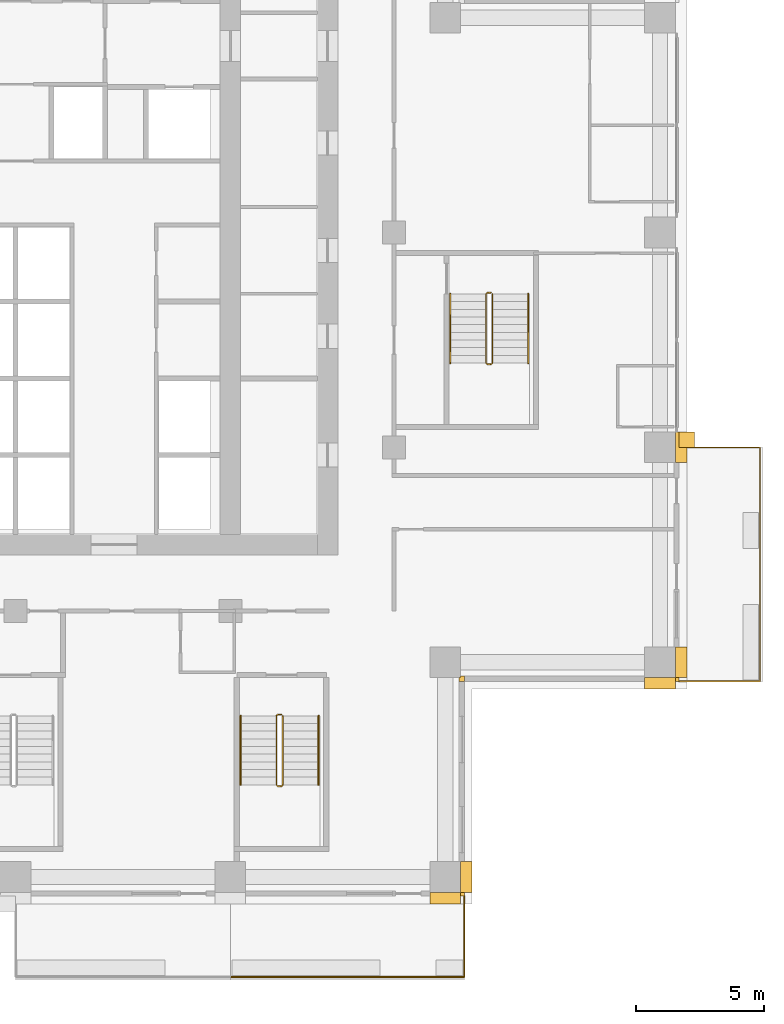
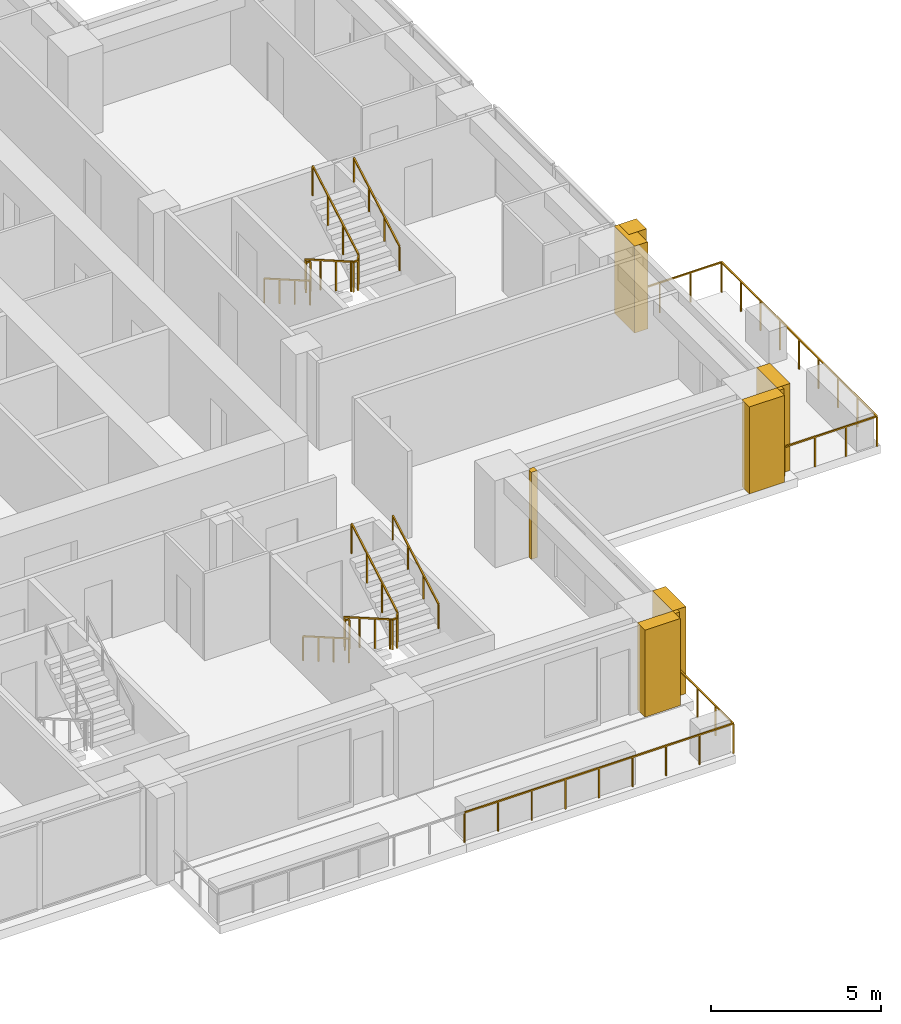
# One storey, part 16 of 18: 9 coverings, 8 railings.
"""IFC4 building model written with IfcOpenShell, lengths in metres."""

from ifc_helpers import new_model, si_unit, direction, frame, origin, origin_2d, place, context, subcontext, project, spatial, polyline, rectangle, outline, extrude, material, type_object, element, save


model = new_model("IFC4")

# Units and contexts
model_context = context("Model", 3, precision=1e-05, world=origin(), true_north=direction((0.0, 1.0)))
body_context = subcontext(model_context, "Body", "Model", "MODEL_VIEW")
ifc_project = project(units=[si_unit("LENGTHUNIT", "METRE"), si_unit("AREAUNIT", "SQUARE_METRE"), si_unit("VOLUMEUNIT", "CUBIC_METRE"), si_unit("PLANEANGLEUNIT", "RADIAN"), si_unit("MASSUNIT", "GRAM", prefix="KILO")], contexts=[model_context])

# Site, building, storey
site_placement = place(None, origin())
site = spatial("IfcSite", under=ifc_project, at=site_placement, CompositionType="ELEMENT")
building_placement = place(site_placement, origin())
building = spatial("IfcBuilding", under=site, at=building_placement, Name="Vermilion Ogive Tower", CompositionType="ELEMENT")
storey_placement = place(building_placement, frame((0.0, 0.0, 94.199951171875)))
storey = spatial("IfcBuildingStorey", under=building, at=storey_placement, Name="L23", CompositionType="ELEMENT", Elevation=94.199951171875)

# Railings
ifc_material_1 = material(Name="Stainless steel and glass", Category="steel")
railing_type_1 = type_object("IfcRailingType", Name="Balcony guard", PredefinedType="GUARDRAIL", material=ifc_material_1)
railing_1_placement = place(storey_placement, frame((8.39990234375, -24.909912109375, -0.0400390625)))
element("IfcRailing", 1, at=railing_1_placement, inside=storey, type_object=railing_type_1, Name="Guard S04", PredefinedType="GUARDRAIL", context=body_context, shape_type="SweptSolid", body=[
    extrude(rectangle(XDim=0.048095703125, YDim=0.048095703125, at=origin_2d()), frame((0.0, 0.0, 1.076171875), z_axis=(1.0, 0.0, 0.0), x_axis=(0.0, 1.0, 0.0)), (0.0, 0.0, 1.0), 9.150146484375),
    extrude(rectangle(XDim=0.048095703125, YDim=0.048095703125, at=origin_2d()), frame((9.150146484375, 0.0, 1.076171875), z_axis=(0.0, 1.0, 0.0), x_axis=(-1.0, 0.0, 0.0)), (0.0, 0.0, 1.0), 3.159912109375),
    extrude(rectangle(XDim=0.0419921875, YDim=0.0419921875, at=origin_2d()), origin(), (0.0, 0.0, 1.0), 1.052001953125),
    extrude(rectangle(XDim=0.0419921875, YDim=0.0419921875, at=origin_2d()), frame((1.143798828125, 0.0, 0.0)), (0.0, 0.0, 1.0), 1.052001953125),
    extrude(rectangle(XDim=0.0419921875, YDim=0.0419921875, at=origin_2d()), frame((2.28759765625, 0.0, 0.0)), (0.0, 0.0, 1.0), 1.052001953125),
    extrude(rectangle(XDim=0.0419921875, YDim=0.0419921875, at=origin_2d()), frame((3.431396484375, 0.0, 0.0)), (0.0, 0.0, 1.0), 1.052001953125),
    extrude(rectangle(XDim=0.0419921875, YDim=0.0419921875, at=origin_2d()), frame((4.5751953125, 0.0, 0.0)), (0.0, 0.0, 1.0), 1.052001953125),
    extrude(rectangle(XDim=0.0419921875, YDim=0.0419921875, at=origin_2d()), frame((5.71875, 0.0, 0.0)), (0.0, 0.0, 1.0), 1.052001953125),
    extrude(rectangle(XDim=0.0419921875, YDim=0.0419921875, at=origin_2d()), frame((6.862548828125, 0.0, 0.0)), (0.0, 0.0, 1.0), 1.052001953125),
    extrude(rectangle(XDim=0.0419921875, YDim=0.0419921875, at=origin_2d()), frame((8.00634765625, 0.0, 0.0)), (0.0, 0.0, 1.0), 1.052001953125),
    extrude(rectangle(XDim=0.0419921875, YDim=0.0419921875, at=origin_2d()), frame((9.150146484375, 0.0, 0.0)), (0.0, 0.0, 1.0), 1.052001953125),
    extrude(rectangle(XDim=0.0419921875, YDim=0.0419921875, at=origin_2d()), frame((9.150146484375, 1.05322265625, 0.0)), (0.0, 0.0, 1.0), 1.052001953125),
    extrude(rectangle(XDim=0.0419921875, YDim=0.0419921875, at=origin_2d()), frame((9.150146484375, 2.106689453125, 0.0)), (0.0, 0.0, 1.0), 1.052001953125),
    extrude(rectangle(XDim=0.0419921875, YDim=0.0419921875, at=origin_2d()), frame((9.150146484375, 3.159912109375, 0.0)), (0.0, 0.0, 1.0), 1.052001953125),
])
railing_2_placement = place(storey_placement, frame((25.949951171875, -13.35009765625, -0.0400390625)))
element("IfcRailing", 2, at=railing_2_placement, inside=storey, type_object=railing_type_1, Name="Guard E01", PredefinedType="GUARDRAIL", context=body_context, shape_type="SweptSolid", body=[
    extrude(rectangle(XDim=0.048095703125, YDim=0.048095703125, at=origin_2d()), frame((0.0, 0.0, 1.076171875), z_axis=(1.0, 0.0, 0.0), x_axis=(0.0, 1.0, 0.0)), (0.0, 0.0, 1.0), 3.16015625),
    extrude(rectangle(XDim=0.048095703125, YDim=0.048095703125, at=origin_2d()), frame((3.16015625, 0.0, 1.076171875), z_axis=(0.0, 1.0, 0.0), x_axis=(-1.0, 0.0, 0.0)), (0.0, 0.0, 1.0), 9.150146484375),
    extrude(rectangle(XDim=0.048095703125, YDim=0.048095703125, at=origin_2d()), frame((3.16015625, 9.150146484375, 1.076171875), z_axis=(-1.0, 0.0, 0.0), x_axis=(0.0, -1.0, 0.0)), (0.0, 0.0, 1.0), 3.16015625),
    extrude(rectangle(XDim=0.0419921875, YDim=0.0419921875, at=origin_2d()), origin(), (0.0, 0.0, 1.0), 1.052001953125),
    extrude(rectangle(XDim=0.0419921875, YDim=0.0419921875, at=origin_2d()), frame((1.053466796875, 0.0, 0.0)), (0.0, 0.0, 1.0), 1.052001953125),
    extrude(rectangle(XDim=0.0419921875, YDim=0.0419921875, at=origin_2d()), frame((2.106689453125, 0.0, 0.0)), (0.0, 0.0, 1.0), 1.052001953125),
    extrude(rectangle(XDim=0.0419921875, YDim=0.0419921875, at=origin_2d()), frame((3.16015625, 0.0, 0.0)), (0.0, 0.0, 1.0), 1.052001953125),
    extrude(rectangle(XDim=0.0419921875, YDim=0.0419921875, at=origin_2d()), frame((3.16015625, 1.143798828125, 0.0)), (0.0, 0.0, 1.0), 1.052001953125),
    extrude(rectangle(XDim=0.0419921875, YDim=0.0419921875, at=origin_2d()), frame((3.16015625, 2.28759765625, 0.0)), (0.0, 0.0, 1.0), 1.052001953125),
    extrude(rectangle(XDim=0.0419921875, YDim=0.0419921875, at=origin_2d()), frame((3.16015625, 3.431396484375, 0.0)), (0.0, 0.0, 1.0), 1.052001953125),
    extrude(rectangle(XDim=0.0419921875, YDim=0.0419921875, at=origin_2d()), frame((3.16015625, 4.5751953125, 0.0)), (0.0, 0.0, 1.0), 1.052001953125),
    extrude(rectangle(XDim=0.0419921875, YDim=0.0419921875, at=origin_2d()), frame((3.16015625, 5.71875, 0.0)), (0.0, 0.0, 1.0), 1.052001953125),
    extrude(rectangle(XDim=0.0419921875, YDim=0.0419921875, at=origin_2d()), frame((3.16015625, 6.862548828125, 0.0)), (0.0, 0.0, 1.0), 1.052001953125),
    extrude(rectangle(XDim=0.0419921875, YDim=0.0419921875, at=origin_2d()), frame((3.16015625, 8.00634765625, 0.0)), (0.0, 0.0, 1.0), 1.052001953125),
    extrude(rectangle(XDim=0.0419921875, YDim=0.0419921875, at=origin_2d()), frame((3.16015625, 9.150146484375, 0.0)), (0.0, 0.0, 1.0), 1.052001953125),
    extrude(rectangle(XDim=0.0419921875, YDim=0.0419921875, at=origin_2d()), frame((2.106689453125, 9.150146484375, 0.0)), (0.0, 0.0, 1.0), 1.052001953125),
    extrude(rectangle(XDim=0.0419921875, YDim=0.0419921875, at=origin_2d()), frame((1.053466796875, 9.150146484375, 0.0)), (0.0, 0.0, 1.0), 1.052001953125),
    extrude(rectangle(XDim=0.0419921875, YDim=0.0419921875, at=origin_2d()), frame((0.0, 9.150146484375, 0.0)), (0.0, 0.0, 1.0), 1.052001953125),
])
ifc_material_2 = material(Name="Steel S355 painted", Category="steel")
railing_type_2 = type_object("IfcRailingType", Name="Stair guard 1100", PredefinedType="GUARDRAIL", material=ifc_material_2)
railing_3_placement = place(storey_placement, frame((10.39990234375, -14.64990234375, 0.0)))
element("IfcRailing", 3, at=railing_3_placement, inside=storey, type_object=railing_type_2, Name="L23 ST5 stair guard 4", PredefinedType="GUARDRAIL", context=body_context, shape_type="SweptSolid", body=[
    extrude(rectangle(XDim=0.048095703125, YDim=0.048095703125, at=origin_2d()), frame((0.0, 0.0, 1.076171875), z_axis=(-1.0, 0.0, 0.0), x_axis=(0.0, -1.0, 0.0)), (0.0, 0.0, 1.0), 0.14990234375),
    extrude(rectangle(XDim=0.048095703125, YDim=0.048095703125, at=origin_2d()), frame((-0.14990234375, 0.0, 1.076171875), z_axis=(-0.268277960024, -0.268277960024, 0.925231793839), x_axis=(0.707106781187, -0.707106781187, 0.0)), (0.0, 0.0, 1.0), 0.1865234375),
    extrude(rectangle(XDim=0.048095703125, YDim=0.048095703125, at=origin_2d()), frame((-0.199951171875, -0.050048828125, 1.24853515625), z_axis=(0.0, -0.866903762492, 0.498475542607), x_axis=(1.0, 0.0, 0.0)), (0.0, 0.0, 1.0), 3.114501953125),
    extrude(rectangle(XDim=0.048095703125, YDim=0.048095703125, at=origin_2d()), frame((-0.199951171875, -2.75, 2.80126953125), z_axis=(0.707106781187, -0.707106781187, 0.0), x_axis=(0.707106781187, 0.707106781187, 0.0)), (0.0, 0.0, 1.0), 0.07080078125),
    extrude(rectangle(XDim=0.048095703125, YDim=0.048095703125, at=origin_2d()), frame((-0.14990234375, -2.800048828125, 2.80126953125), z_axis=(1.0, 0.0, 0.0), x_axis=(0.0, 1.0, 0.0)), (0.0, 0.0, 1.0), 0.14990234375),
    extrude(rectangle(XDim=0.048095703125, YDim=0.048095703125, at=origin_2d()), frame((0.0, -2.800048828125, 2.80126953125), z_axis=(0.268603158521, 0.268603158521, 0.925043072762), x_axis=(-0.707106781187, 0.707106781187, 0.0)), (0.0, 0.0, 1.0), 0.186279296875),
    extrude(rectangle(XDim=0.048095703125, YDim=0.048095703125, at=origin_2d()), frame((0.050048828125, -2.75, 2.9736328125), z_axis=(0.0, 0.866903762492, 0.498475542607), x_axis=(-1.0, 0.0, 0.0)), (0.0, 0.0, 1.0), 3.114501953125),
    extrude(rectangle(XDim=0.0419921875, YDim=0.0419921875, at=origin_2d()), origin(), (0.0, 0.0, 1.0), 1.052001953125),
    extrude(rectangle(XDim=0.0419921875, YDim=0.0419921875, at=origin_2d()), frame((-0.14990234375, 0.0, 0.0)), (0.0, 0.0, 1.0), 1.052001953125),
    extrude(rectangle(XDim=0.0419921875, YDim=0.0419921875, at=origin_2d()), frame((-0.199951171875, -0.050048828125, 0.172607421875)), (0.0, 0.0, 1.0), 1.052001953125),
    extrude(rectangle(XDim=0.0419921875, YDim=0.0419921875, at=origin_2d()), frame((-0.199951171875, -0.949951171875, 0.690185546875)), (0.0, 0.0, 1.0), 1.052001953125),
    extrude(rectangle(XDim=0.0419921875, YDim=0.0419921875, at=origin_2d()), frame((-0.199951171875, -1.85009765625, 1.20751953125)), (0.0, 0.0, 1.0), 1.052001953125),
    extrude(rectangle(XDim=0.0419921875, YDim=0.0419921875, at=origin_2d()), frame((-0.199951171875, -2.75, 1.72509765625)), (0.0, 0.0, 1.0), 1.052001953125),
    extrude(rectangle(XDim=0.0419921875, YDim=0.0419921875, at=origin_2d()), frame((-0.14990234375, -2.800048828125, 1.72509765625)), (0.0, 0.0, 1.0), 1.052001953125),
    extrude(rectangle(XDim=0.0419921875, YDim=0.0419921875, at=origin_2d()), frame((0.0, -2.800048828125, 1.72509765625)), (0.0, 0.0, 1.0), 1.052001953125),
    extrude(rectangle(XDim=0.0419921875, YDim=0.0419921875, at=origin_2d()), frame((0.050048828125, -2.75, 1.8974609375)), (0.0, 0.0, 1.0), 1.052001953125),
    extrude(rectangle(XDim=0.0419921875, YDim=0.0419921875, at=origin_2d()), frame((0.050048828125, -1.85009765625, 2.4150390625)), (0.0, 0.0, 1.0), 1.052001953125),
    extrude(rectangle(XDim=0.0419921875, YDim=0.0419921875, at=origin_2d()), frame((0.050048828125, -0.949951171875, 2.932373046875)), (0.0, 0.0, 1.0), 1.052001953125),
    extrude(rectangle(XDim=0.0419921875, YDim=0.0419921875, at=origin_2d()), frame((0.050048828125, -0.050048828125, 3.449951171875)), (0.0, 0.0, 1.0), 1.052001953125),
])
railing_4_placement = place(storey_placement, frame((18.60009765625, 1.85009765625, 0.0)))
element("IfcRailing", 4, at=railing_4_placement, inside=storey, type_object=railing_type_2, Name="L23 ST8 stair guard 4", PredefinedType="GUARDRAIL", context=body_context, shape_type="SweptSolid", body=[
    extrude(rectangle(XDim=0.048095703125, YDim=0.048095703125, at=origin_2d()), frame((0.0, 0.0, 1.076171875), z_axis=(-1.0, 0.0, 0.0), x_axis=(0.0, -1.0, 0.0)), (0.0, 0.0, 1.0), 0.150146484375),
    extrude(rectangle(XDim=0.048095703125, YDim=0.048095703125, at=origin_2d()), frame((-0.150146484375, 0.0, 1.076171875), z_axis=(-0.268277960024, -0.268277960024, 0.925231793839), x_axis=(0.707106781187, -0.707106781187, 0.0)), (0.0, 0.0, 1.0), 0.1865234375),
    extrude(rectangle(XDim=0.048095703125, YDim=0.048095703125, at=origin_2d()), frame((-0.2001953125, -0.050048828125, 1.24853515625), z_axis=(0.0, -0.866903762492, 0.498475542607), x_axis=(1.0, 0.0, 0.0)), (0.0, 0.0, 1.0), 3.114501953125),
    extrude(rectangle(XDim=0.048095703125, YDim=0.048095703125, at=origin_2d()), frame((-0.2001953125, -2.75, 2.80126953125), z_axis=(0.707106781187, -0.707106781187, 0.0), x_axis=(0.707106781187, 0.707106781187, 0.0)), (0.0, 0.0, 1.0), 0.07080078125),
    extrude(rectangle(XDim=0.048095703125, YDim=0.048095703125, at=origin_2d()), frame((-0.150146484375, -2.800048828125, 2.80126953125), z_axis=(1.0, 0.0, 0.0), x_axis=(0.0, 1.0, 0.0)), (0.0, 0.0, 1.0), 0.150146484375),
    extrude(rectangle(XDim=0.048095703125, YDim=0.048095703125, at=origin_2d()), frame((0.0, -2.800048828125, 2.80126953125), z_axis=(0.267386790225, 0.268697509785, 0.925368009307), x_axis=(-0.708833529934, 0.705375805398, 0.0)), (0.0, 0.0, 1.0), 0.186279296875),
    extrude(rectangle(XDim=0.048095703125, YDim=0.048095703125, at=origin_2d()), frame((0.0498046875, -2.75, 2.9736328125), z_axis=(0.0, 0.866903762492, 0.498475542607), x_axis=(-1.0, 0.0, 0.0)), (0.0, 0.0, 1.0), 3.114501953125),
    extrude(rectangle(XDim=0.0419921875, YDim=0.0419921875, at=origin_2d()), origin(), (0.0, 0.0, 1.0), 1.052001953125),
    extrude(rectangle(XDim=0.0419921875, YDim=0.0419921875, at=origin_2d()), frame((-0.150146484375, 0.0, 0.0)), (0.0, 0.0, 1.0), 1.052001953125),
    extrude(rectangle(XDim=0.0419921875, YDim=0.0419921875, at=origin_2d()), frame((-0.2001953125, -0.050048828125, 0.172607421875)), (0.0, 0.0, 1.0), 1.052001953125),
    extrude(rectangle(XDim=0.0419921875, YDim=0.0419921875, at=origin_2d()), frame((-0.2001953125, -0.949951171875, 0.690185546875)), (0.0, 0.0, 1.0), 1.052001953125),
    extrude(rectangle(XDim=0.0419921875, YDim=0.0419921875, at=origin_2d()), frame((-0.2001953125, -1.85009765625, 1.20751953125)), (0.0, 0.0, 1.0), 1.052001953125),
    extrude(rectangle(XDim=0.0419921875, YDim=0.0419921875, at=origin_2d()), frame((-0.2001953125, -2.75, 1.72509765625)), (0.0, 0.0, 1.0), 1.052001953125),
    extrude(rectangle(XDim=0.0419921875, YDim=0.0419921875, at=origin_2d()), frame((-0.150146484375, -2.800048828125, 1.72509765625)), (0.0, 0.0, 1.0), 1.052001953125),
    extrude(rectangle(XDim=0.0419921875, YDim=0.0419921875, at=origin_2d()), frame((0.0, -2.800048828125, 1.72509765625)), (0.0, 0.0, 1.0), 1.052001953125),
    extrude(rectangle(XDim=0.0419921875, YDim=0.0419921875, at=origin_2d()), frame((0.0498046875, -2.75, 1.8974609375)), (0.0, 0.0, 1.0), 1.052001953125),
    extrude(rectangle(XDim=0.0419921875, YDim=0.0419921875, at=origin_2d()), frame((0.0498046875, -1.85009765625, 2.4150390625)), (0.0, 0.0, 1.0), 1.052001953125),
    extrude(rectangle(XDim=0.0419921875, YDim=0.0419921875, at=origin_2d()), frame((0.0498046875, -0.949951171875, 2.932373046875)), (0.0, 0.0, 1.0), 1.052001953125),
    extrude(rectangle(XDim=0.0419921875, YDim=0.0419921875, at=origin_2d()), frame((0.0498046875, -0.050048828125, 3.449951171875)), (0.0, 0.0, 1.0), 1.052001953125),
])
ifc_material_3 = material(Name="Stainless steel", Category="steel")
railing_type_3 = type_object("IfcRailingType", Name="Stair handrail 900", PredefinedType="HANDRAIL", material=ifc_material_3)
railing_5_placement = place(storey_placement, frame((8.800048828125, -14.699951171875, 0.172607421875)))
element("IfcRailing", 5, at=railing_5_placement, inside=storey, type_object=railing_type_3, Name="L23 ST5 stair handrail 1", PredefinedType="HANDRAIL", context=body_context, shape_type="SweptSolid", body=[
    extrude(rectangle(XDim=0.048095703125, YDim=0.048095703125, at=origin_2d()), frame((0.0, 0.0, 0.8759765625), z_axis=(0.0, -0.866903762492, 0.498475542607), x_axis=(1.0, 0.0, 0.0)), (0.0, 0.0, 1.0), 3.114501953125),
    extrude(rectangle(XDim=0.0419921875, YDim=0.0419921875, at=origin_2d()), origin(), (0.0, 0.0, 1.0), 0.851806640625),
    extrude(rectangle(XDim=0.0419921875, YDim=0.0419921875, at=origin_2d()), frame((0.0, -0.89990234375, 0.517578125)), (0.0, 0.0, 1.0), 0.851806640625),
    extrude(rectangle(XDim=0.0419921875, YDim=0.0419921875, at=origin_2d()), frame((0.0, -1.800048828125, 1.034912109375)), (0.0, 0.0, 1.0), 0.851806640625),
    extrude(rectangle(XDim=0.0419921875, YDim=0.0419921875, at=origin_2d()), frame((0.0, -2.699951171875, 1.552490234375)), (0.0, 0.0, 1.0), 0.851806640625),
])
railing_6_placement = place(storey_placement, frame((11.85009765625, -17.39990234375, 1.8974609375)))
element("IfcRailing", 6, at=railing_6_placement, inside=storey, type_object=railing_type_3, Name="L23 ST5 stair handrail 2", PredefinedType="HANDRAIL", context=body_context, shape_type="SweptSolid", body=[
    extrude(rectangle(XDim=0.048095703125, YDim=0.048095703125, at=origin_2d()), frame((0.0, 0.0, 0.8759765625), z_axis=(0.0, 0.866903762492, 0.498475542607), x_axis=(-1.0, 0.0, 0.0)), (0.0, 0.0, 1.0), 3.114501953125),
    extrude(rectangle(XDim=0.0419921875, YDim=0.0419921875, at=origin_2d()), origin(), (0.0, 0.0, 1.0), 0.851806640625),
    extrude(rectangle(XDim=0.0419921875, YDim=0.0419921875, at=origin_2d()), frame((0.0, 0.89990234375, 0.517578125)), (0.0, 0.0, 1.0), 0.851806640625),
    extrude(rectangle(XDim=0.0419921875, YDim=0.0419921875, at=origin_2d()), frame((0.0, 1.800048828125, 1.034912109375)), (0.0, 0.0, 1.0), 0.851806640625),
    extrude(rectangle(XDim=0.0419921875, YDim=0.0419921875, at=origin_2d()), frame((0.0, 2.699951171875, 1.552490234375)), (0.0, 0.0, 1.0), 0.851806640625),
])
railing_7_placement = place(storey_placement, frame((17.0, 1.800048828125, 0.172607421875)))
element("IfcRailing", 7, at=railing_7_placement, inside=storey, type_object=railing_type_3, Name="L23 ST8 stair handrail 1", PredefinedType="HANDRAIL", context=body_context, shape_type="SweptSolid", body=[
    extrude(rectangle(XDim=0.048095703125, YDim=0.048095703125, at=origin_2d()), frame((0.0, 0.0, 0.8759765625), z_axis=(0.0, -0.866903762492, 0.498475542607), x_axis=(1.0, 0.0, 0.0)), (0.0, 0.0, 1.0), 3.114501953125),
    extrude(rectangle(XDim=0.0419921875, YDim=0.0419921875, at=origin_2d()), origin(), (0.0, 0.0, 1.0), 0.851806640625),
    extrude(rectangle(XDim=0.0419921875, YDim=0.0419921875, at=origin_2d()), frame((0.0, -0.89990234375, 0.517578125)), (0.0, 0.0, 1.0), 0.851806640625),
    extrude(rectangle(XDim=0.0419921875, YDim=0.0419921875, at=origin_2d()), frame((0.0, -1.800048828125, 1.034912109375)), (0.0, 0.0, 1.0), 0.851806640625),
    extrude(rectangle(XDim=0.0419921875, YDim=0.0419921875, at=origin_2d()), frame((0.0, -2.699951171875, 1.552490234375)), (0.0, 0.0, 1.0), 0.851806640625),
])
railing_8_placement = place(storey_placement, frame((20.050048828125, -0.89990234375, 1.8974609375)))
element("IfcRailing", 8, at=railing_8_placement, inside=storey, type_object=railing_type_3, Name="L23 ST8 stair handrail 2", PredefinedType="HANDRAIL", context=body_context, shape_type="SweptSolid", body=[
    extrude(rectangle(XDim=0.048095703125, YDim=0.048095703125, at=origin_2d()), frame((0.0, 0.0, 0.8759765625), z_axis=(0.0, 0.866903762492, 0.498475542607), x_axis=(-1.0, 0.0, 0.0)), (0.0, 0.0, 1.0), 3.114501953125),
    extrude(rectangle(XDim=0.0419921875, YDim=0.0419921875, at=origin_2d()), origin(), (0.0, 0.0, 1.0), 0.851806640625),
    extrude(rectangle(XDim=0.0419921875, YDim=0.0419921875, at=origin_2d()), frame((0.0, 0.89990234375, 0.517578125)), (0.0, 0.0, 1.0), 0.851806640625),
    extrude(rectangle(XDim=0.0419921875, YDim=0.0419921875, at=origin_2d()), frame((0.0, 1.800048828125, 1.034912109375)), (0.0, 0.0, 1.0), 0.851806640625),
    extrude(rectangle(XDim=0.0419921875, YDim=0.0419921875, at=origin_2d()), frame((0.0, 2.699951171875, 1.552490234375)), (0.0, 0.0, 1.0), 0.851806640625),
])

# Coverings
ifc_material_4 = material(Name="Stone cladding", Category="masonry")
covering_type_1 = type_object("IfcCoveringType", Name="Stone corner buttress", PredefinedType="CLADDING", material=ifc_material_4)
covering_1_placement = place(storey_placement, origin())
element("IfcCovering", 9, at=covering_1_placement, inside=storey, type_object=covering_type_1, Name="Stone crease pier EK", PredefinedType="CLADDING", context=body_context, shape_type="SweptSolid", body=[
    extrude(outline(polyline([(26.550048828125, -4.199951171875), (26.550048828125, -3.60009765625), (25.949951171875, -3.60009765625), (25.949951171875, -4.199951171875), (26.550048828125, -4.199951171875)])), origin(), (0.0, 0.0, 1.0), 3.130126953125),
])
ifc_material_5 = material(Name="Stone cladding", Category="masonry")
covering_type_2 = type_object("IfcCoveringType", Name="Stone pier", PredefinedType="CLADDING", material=ifc_material_5)
covering_2_placement = place(storey_placement, origin())
element("IfcCovering", 10, at=covering_2_placement, inside=storey, type_object=covering_type_2, Name="Stone corner pier SE1", PredefinedType="CLADDING", context=body_context, shape_type="SweptSolid", body=[
    extrude(outline(polyline([(17.39990234375, -21.75), (17.39990234375, -21.60009765625), (17.39990234375, -21.60009765625), (17.550048828125, -21.60009765625), (17.550048828125, -21.75), (17.39990234375, -21.75)])), origin(), (0.0, 0.0, 1.0), 3.130126953125),
])
covering_3_placement = place(storey_placement, origin())
element("IfcCovering", 11, at=covering_3_placement, inside=storey, type_object=covering_type_2, Name="Stone corner pier X1E1", PredefinedType="CLADDING", context=body_context, shape_type="SweptSolid", body=[
    extrude(outline(polyline([(17.35009765625, -13.199951171875), (17.39990234375, -13.199951171875), (17.39990234375, -13.14990234375), (17.550048828125, -13.14990234375), (17.550048828125, -13.35009765625), (17.35009765625, -13.35009765625), (17.35009765625, -13.199951171875)])), origin(), (0.0, 0.0, 1.0), 3.130126953125),
])
covering_4_placement = place(storey_placement, origin())
element("IfcCovering", 12, at=covering_4_placement, inside=storey, type_object=covering_type_2, Name="Stone corner pier X2E1", PredefinedType="CLADDING", context=body_context, shape_type="SweptSolid", body=[
    extrude(outline(polyline([(25.800048828125, -13.35009765625), (25.800048828125, -13.199951171875), (25.949951171875, -13.199951171875), (25.949951171875, -13.35009765625), (25.800048828125, -13.35009765625)])), origin(), (0.0, 0.0, 1.0), 3.130126953125),
])
covering_5_placement = place(storey_placement, origin())
element("IfcCovering", 13, at=covering_5_placement, inside=storey, type_object=covering_type_2, Name="Stone pier P+0168-210S", PredefinedType="CLADDING", context=body_context, shape_type="SweptSolid", body=[
    extrude(outline(polyline([(17.39990234375, -22.050048828125), (16.199951171875, -22.050048828125), (16.199951171875, -21.60009765625), (17.39990234375, -21.60009765625), (17.39990234375, -22.050048828125)])), origin(), (0.0, 0.0, 1.0), 3.130126953125),
])
covering_6_placement = place(storey_placement, origin())
element("IfcCovering", 14, at=covering_6_placement, inside=storey, type_object=covering_type_2, Name="Stone pier P+0168-210X1", PredefinedType="CLADDING", context=body_context, shape_type="SweptSolid", body=[
    extrude(outline(polyline([(17.85009765625, -21.60009765625), (17.39990234375, -21.60009765625), (17.39990234375, -20.39990234375), (17.85009765625, -20.39990234375), (17.85009765625, -21.60009765625)])), origin(), (0.0, 0.0, 1.0), 3.130126953125),
])
covering_7_placement = place(storey_placement, origin())
element("IfcCovering", 15, at=covering_7_placement, inside=storey, type_object=covering_type_2, Name="Stone pier P+0252-042", PredefinedType="CLADDING", context=body_context, shape_type="SweptSolid", body=[
    extrude(outline(polyline([(25.800048828125, -3.60009765625), (25.949951171875, -3.60009765625), (25.949951171875, -4.199951171875), (26.25, -4.199951171875), (26.25, -4.800048828125), (25.800048828125, -4.800048828125), (25.800048828125, -4.800048828125), (25.800048828125, -3.60009765625)])), origin(), (0.0, 0.0, 1.0), 3.130126953125),
])
covering_8_placement = place(storey_placement, origin())
element("IfcCovering", 16, at=covering_8_placement, inside=storey, type_object=covering_type_2, Name="Stone pier P+0252-126X2", PredefinedType="CLADDING", context=body_context, shape_type="SweptSolid", body=[
    extrude(outline(polyline([(25.800048828125, -13.199951171875), (25.800048828125, -13.64990234375), (24.60009765625, -13.64990234375), (24.60009765625, -13.199951171875), (24.60009765625, -13.199951171875), (25.800048828125, -13.199951171875)])), origin(), (0.0, 0.0, 1.0), 3.130126953125),
])
covering_9_placement = place(storey_placement, origin())
element("IfcCovering", 17, at=covering_9_placement, inside=storey, type_object=covering_type_2, Name="Stone pier P+0252-126E", PredefinedType="CLADDING", context=body_context, shape_type="SweptSolid", body=[
    extrude(outline(polyline([(26.25, -13.199951171875), (25.800048828125, -13.199951171875), (25.800048828125, -12.0), (26.25, -12.0), (26.25, -13.199951171875)])), origin(), (0.0, 0.0, 1.0), 3.130126953125),
])

save(model, "model.ifc")
